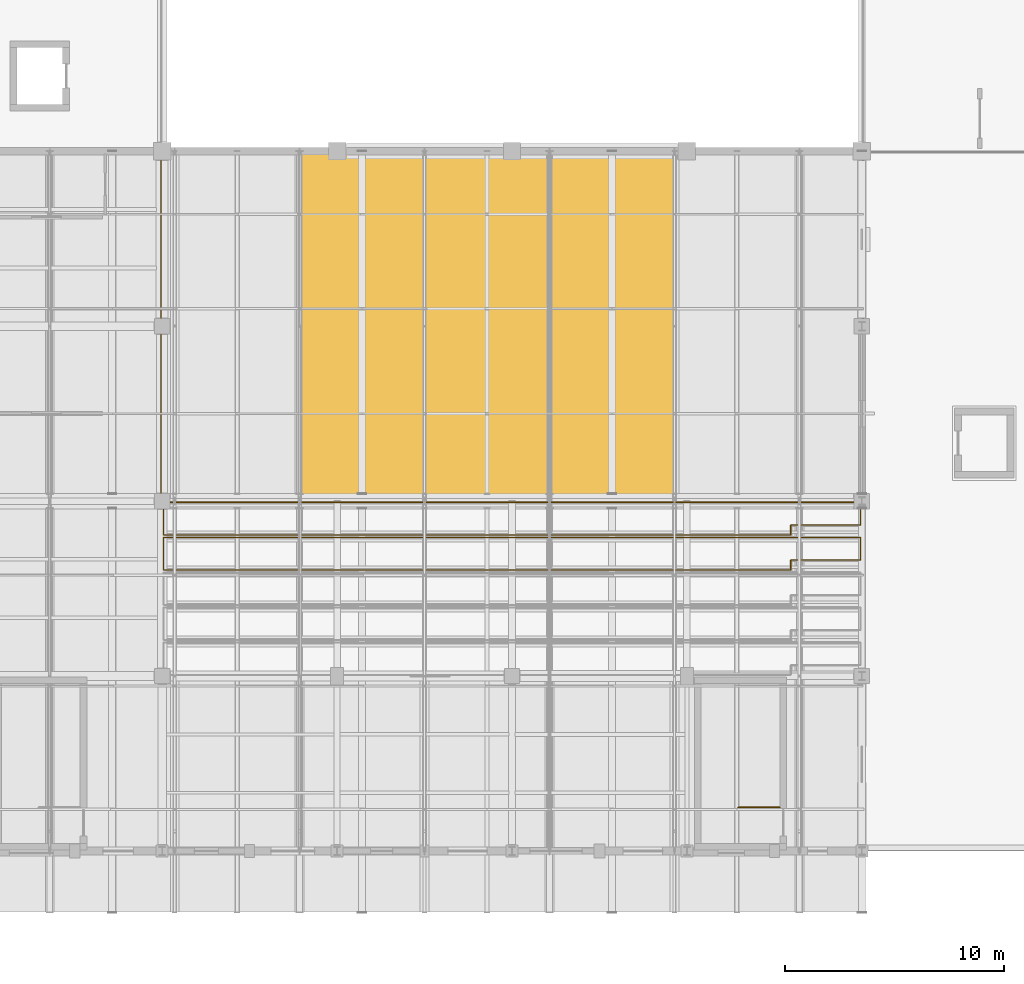
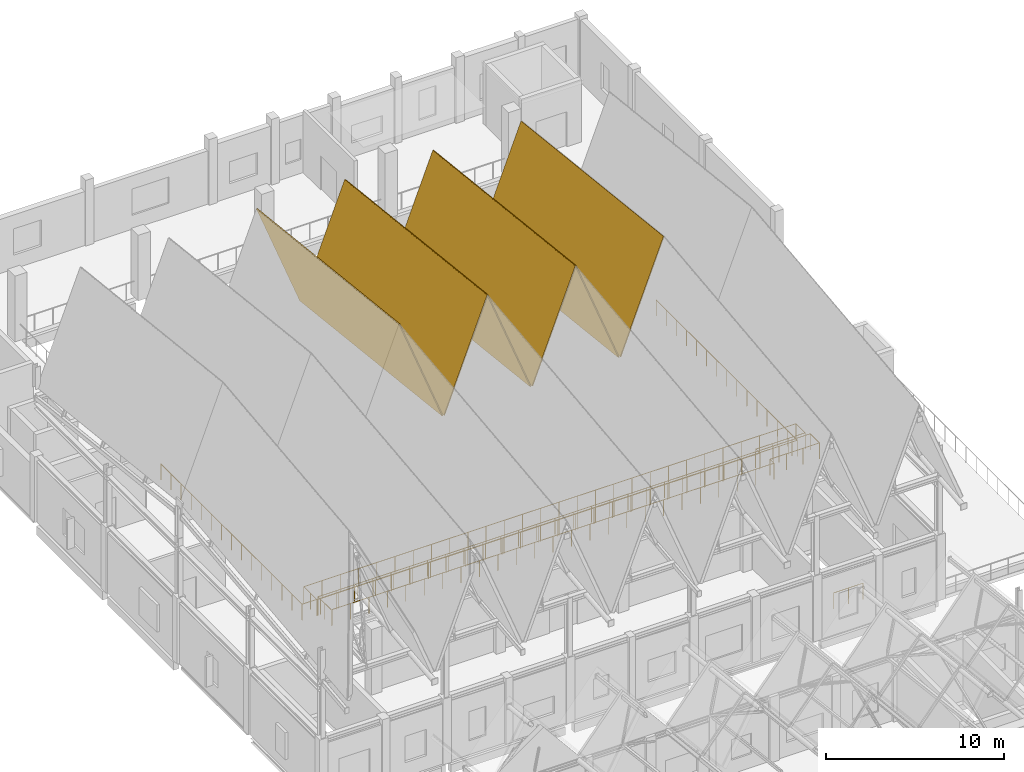
# One storey, part 68 of 77: 6 coverings, 4 railings.
"""IFC4 building model written with IfcOpenShell, lengths in metres."""

import ifcopenshell
import ifcopenshell.guid

model = None  # the IFC model being written
_history = None  # IfcOwnerHistory: only IFC2X3 demands one
_inside = {}  # id of a spatial element -> (the spatial element, [elements in it])
_under = {}  # id of a project, library or spatial element -> (it, [spatial elements below it])
_declared = {}  # id of a project -> (the project, [libraries it declares])
_typed = {}  # id of a type object -> (the type object, [elements of that type])
_made_of = {}  # id of a material, layer set ... -> (it, [elements and type objects made of it])


def new_model(schema):
    """Start an empty IFC model of exactly this schema.

    Asked for "IFC4X3", IfcOpenShell would pick the latest addendum, in which some entities
    have other attributes; the version numbers below select the first issue.
    IFC2X3 requires an IfcOwnerHistory on every rooted entity: one is made here for all.
    """
    global model, _history
    if schema == "IFC4X3":
        model = ifcopenshell.file(schema_version=(4, 3, 0, 0))
    else:
        model = ifcopenshell.file(schema=schema)
    _inside.clear()
    _under.clear()
    _declared.clear()
    _typed.clear()
    _made_of.clear()
    _history = None
    if model.schema == "IFC2X3":
        org = make("IfcOrganization", Name="unknown")
        user = make(
            "IfcPersonAndOrganization",
            ThePerson=make("IfcPerson", FamilyName="unknown"),
            TheOrganization=org,
        )
        app = make(
            "IfcApplication",
            ApplicationDeveloper=org,
            Version="unknown",
            ApplicationFullName="unknown",
            ApplicationIdentifier="unknown",
        )
        _history = make(
            "IfcOwnerHistory",
            OwningUser=user,
            OwningApplication=app,
            ChangeAction="ADDED",
            CreationDate=0,
        )
    return model


def make(cls, **values):
    """One entity of the class cls with the attributes given. An attribute that is None is left unset."""
    return model.create_entity(
        cls, **{name: value for name, value in values.items() if value is not None}
    )


def rooted(cls, **values):
    """An entity with a GlobalId (a new one), such as an element, a storey or a relation."""
    return make(cls, GlobalId=ifcopenshell.guid.new(), OwnerHistory=_history, **values)


def si_unit(unit_type, name, prefix=None):
    """IfcSIUnit, for example si_unit("LENGTHUNIT", "METRE", prefix="MILLI")."""
    return make("IfcSIUnit", UnitType=unit_type, Prefix=prefix, Name=name)


def assignment(units):
    """IfcUnitAssignment: the units of a project."""
    return None if units is None else make("IfcUnitAssignment", Units=units)


def point(xyz):
    """IfcCartesianPoint."""
    return None if xyz is None else make("IfcCartesianPoint", Coordinates=xyz)


def direction(xyz):
    """IfcDirection."""
    return None if xyz is None else make("IfcDirection", DirectionRatios=xyz)


def frame(location, z_axis=None, x_axis=None):
    """IfcAxis2Placement3D, a coordinate frame: its origin and axes. An axis left out is left unset."""
    return make(
        "IfcAxis2Placement3D",
        Location=point(location),
        Axis=direction(z_axis),
        RefDirection=direction(x_axis),
    )


def frame_2d(location, x_axis=None):
    """IfcAxis2Placement2D, a coordinate frame in the plane: its origin and x axis."""
    return make(
        "IfcAxis2Placement2D", Location=point(location), RefDirection=direction(x_axis)
    )


def origin():
    """The frame at (0, 0, 0) with its axes left unset."""
    return frame((0.0, 0.0, 0.0))


def origin_2d():
    """The frame at (0, 0) in the plane with its x axis left unset."""
    return frame_2d((0.0, 0.0))


def place(relative_to, where):
    """IfcLocalPlacement: puts the frame where relative to a parent placement (None: the world)."""
    return make(
        "IfcLocalPlacement", PlacementRelTo=relative_to, RelativePlacement=where
    )


def context(
    kind, dimensions, precision=None, world=None, true_north=None, identifier=None
):
    """IfcGeometricRepresentationContext, for example the 3D "Model" context."""
    return make(
        "IfcGeometricRepresentationContext",
        ContextIdentifier=identifier,
        ContextType=kind,
        CoordinateSpaceDimension=dimensions,
        Precision=precision,
        WorldCoordinateSystem=world,
        TrueNorth=true_north,
    )


def subcontext(parent, identifier, kind, view, scale=None):
    """IfcGeometricRepresentationSubContext, for example "Body" below "Model"."""
    return make(
        "IfcGeometricRepresentationSubContext",
        ContextIdentifier=identifier,
        ContextType=kind,
        ParentContext=parent,
        TargetScale=scale,
        TargetView=view,
    )


def project(units=None, contexts=None):
    """IfcProject with its units and contexts."""
    return rooted(
        "IfcProject",
        Name="project",
        RepresentationContexts=contexts,
        UnitsInContext=assignment(units),
    )


def spatial(cls, under=None, at=None, **own):
    """A site, building, storey or space (cls), placed at a placement, below another one or the project."""
    s = rooted(cls, ObjectPlacement=at, **own)
    if under is not None:
        _under.setdefault(under.id(), (under, []))[1].append(s)
    return s


def polyline(points):
    """IfcPolyline through the points."""
    return make("IfcPolyline", Points=[point(p) for p in points])


def profile(cls, at=None, kind="AREA", **sizes):
    """A parametric profile (cls). Its sizes go by their IFC names, for example OverallWidth=200.0."""
    return make(cls, ProfileType=kind, Position=at, **sizes)


def circle(**sizes):
    """IfcCircleProfileDef."""
    return profile("IfcCircleProfileDef", **sizes)


def outline(outer, holes=None, kind="AREA"):
    """IfcArbitraryClosedProfileDef: a profile drawn as a closed curve; with holes, ...WithVoids."""
    if holes is None:
        return make("IfcArbitraryClosedProfileDef", ProfileType=kind, OuterCurve=outer)
    return make(
        "IfcArbitraryProfileDefWithVoids",
        ProfileType=kind,
        OuterCurve=outer,
        InnerCurves=holes,
    )


def extrude(swept, where, along, depth):
    """IfcExtrudedAreaSolid: the profile swept, set in the frame where, extruded along a direction by depth."""
    return make(
        "IfcExtrudedAreaSolid",
        SweptArea=swept,
        Position=where,
        ExtrudedDirection=direction(along),
        Depth=depth,
    )


def shape(context_of_items, identifier, shape_type, items):
    """IfcShapeRepresentation: the items that make up one representation, for example the "Body"."""
    return make(
        "IfcShapeRepresentation",
        ContextOfItems=context_of_items,
        RepresentationIdentifier=identifier,
        RepresentationType=shape_type,
        Items=items,
    )


def material(Name=None, Category=None):
    """IfcMaterial."""
    return make("IfcMaterial", Name=Name, Category=Category)


def layer(
    of_material, thickness, ventilated=None, Name=None, Category=None, Priority=None
):
    """IfcMaterialLayer: one layer of a wall or slab, of a material (None: an air gap)."""
    return make(
        "IfcMaterialLayer",
        Material=of_material,
        LayerThickness=thickness,
        IsVentilated=ventilated,
        Name=Name,
        Category=Category,
        Priority=Priority,
    )


def layer_set(layers, Name=None):
    """IfcMaterialLayerSet."""
    return make("IfcMaterialLayerSet", MaterialLayers=layers, LayerSetName=Name)


def made_of(thing, what):
    """Note that an element or type object is made of a material, layer set ...; save() writes the relation."""
    if what is not None:
        _made_of.setdefault(what.id(), (what, []))[1].append(thing)
    return thing


def type_object(cls, material=None, **own):
    """A type object (cls), such as IfcWallType, which elements share."""
    return made_of(rooted(cls, **own), material)


def element(
    cls,
    number,
    at=None,
    inside=None,
    cuts=None,
    type_object=None,
    material=None,
    context=None,
    identifier="Body",
    shape_type=None,
    held_by="IfcProductDefinitionShape",
    body=None,
    shapes=None,
    **own,
):
    """One element of the class cls, such as IfcWall. Its Tag is "e" and its number.

    at: its placement. inside: the storey or other place that contains it. cuts: it is an
    opening in that element (IfcRelVoidsElement). A single representation is given by context,
    identifier, shape_type and body (its items); several are given by shapes. held_by: the class
    of the entity that holds the representations. save() writes the other relations.
    """
    e = rooted(cls, Tag="e%d" % number, ObjectPlacement=at, **own)
    if body is not None:
        shapes = [shape(context, identifier, shape_type, body)]
    if shapes is not None:
        e.Representation = make(held_by, Representations=shapes)
    if inside is not None:
        _inside.setdefault(inside.id(), (inside, []))[1].append(e)
    if cuts is not None:
        rooted(
            "IfcRelVoidsElement", RelatingBuildingElement=cuts, RelatedOpeningElement=e
        )
    if type_object is not None:
        _typed.setdefault(type_object.id(), (type_object, []))[1].append(e)
    return made_of(e, material)


def aggregate(whole, parts):
    """IfcRelAggregates: a whole, such as a stair, and the parts it consists of."""
    return rooted("IfcRelAggregates", RelatingObject=whole, RelatedObjects=parts)


def save(model, path):
    """Write the relations noted so far, then the file.

    IfcRelAggregates (storeys below a building ...), IfcRelContainedInSpatialStructure (elements
    in a storey), IfcRelDefinesByType, IfcRelAssociatesMaterial and IfcRelDeclares: one each for
    every whole, place, type object, material and project.
    """
    for whole, parts in _under.values():
        aggregate(whole, parts)
    for where, things in _inside.values():
        rooted(
            "IfcRelContainedInSpatialStructure",
            RelatedElements=things,
            RelatingStructure=where,
        )
    for kind, things in _typed.values():
        rooted("IfcRelDefinesByType", RelatedObjects=things, RelatingType=kind)
    for what, things in _made_of.values():
        rooted("IfcRelAssociatesMaterial", RelatedObjects=things, RelatingMaterial=what)
    for by, libraries in _declared.values():
        rooted("IfcRelDeclares", RelatingContext=by, RelatedDefinitions=libraries)
    model.write(path)


model = new_model("IFC4")

# Units and contexts
model_context = context("Model", 3, precision=1e-05, world=origin(), true_north=direction((0.0, 1.0)))
body_context = subcontext(model_context, "Body", "Model", "MODEL_VIEW")
ifc_project = project(units=[si_unit("LENGTHUNIT", "METRE"), si_unit("AREAUNIT", "SQUARE_METRE"), si_unit("VOLUMEUNIT", "CUBIC_METRE"), si_unit("PLANEANGLEUNIT", "RADIAN"), si_unit("MASSUNIT", "GRAM", prefix="KILO")], contexts=[model_context])

# Site, building, storey
site_placement = place(None, origin())
site = spatial("IfcSite", under=ifc_project, at=site_placement, CompositionType="ELEMENT")
building_placement = place(site_placement, origin())
building = spatial("IfcBuilding", under=site, at=building_placement, Name="Luwemba Playhouse", CompositionType="ELEMENT")
storey_placement = place(building_placement, frame((0.0, 0.0, 9.300048828125)))
storey = spatial("IfcBuildingStorey", under=building, at=storey_placement, Name="L02", CompositionType="ELEMENT", Elevation=9.300048828125)

# Coverings
ifc_material_1 = material(Name="Glazed terracotta clay roof tile", Category="masonry")
ifc_layer = layer(ifc_material_1, 0.06494140625)
ifc_layer_set = layer_set([ifc_layer], Name="Glazed terracotta clay roof tile")
covering_type = type_object("IfcCoveringType", Name="COV-ROOF-TILE", PredefinedType="ROOFING", material=ifc_layer_set)
covering_1_placement = place(storey_placement, frame((18.310791015625, 52.0, 18.061279296875), z_axis=(0.932211217574, 0.040342026533, 0.359659236953), x_axis=(0.359952263619, 0.0, -0.932970721896)))
element("IfcCovering", 1, at=covering_1_placement, inside=storey, type_object=covering_type, Name="RF-V1 glazed clay-tile roofing 6N", PredefinedType="ROOFING", context=body_context, shape_type="SweptSolid", body=[
    extrude(outline(polyline([(0.0, 0.0), (7.798614399668574, 0.0), (9.472996181079711, 16.01303574655162), (1.6743817814111364, 16.013035746551616), (0.0, 0.0)])), origin(), (0.0, 0.0, -1.0), 0.06494140625),
])
covering_2_placement = place(storey_placement, frame((21.16796875, 52.0, 10.78564453125), z_axis=(-0.932203022566, 0.040344379383, 0.359680213204), x_axis=(0.359973291185, 0.0, 0.932962608915)))
element("IfcCovering", 2, at=covering_2_placement, inside=storey, type_object=covering_type, Name="RF-V1 glazed clay-tile roofing 7N", PredefinedType="ROOFING", context=body_context, shape_type="SweptSolid", body=[
    extrude(outline(polyline([(0.0, 0.0), (7.798158849538923, 0.0), (6.123791628314629, 16.01303726901149), (-1.674367221224293, 16.01303726901149), (0.0, 0.0)])), origin(), (0.0, 0.0, -1.0), 0.06494140625),
])
covering_3_placement = place(storey_placement, frame((24.02490234375, 52.0, 18.06103515625), z_axis=(0.932203022566, 0.040344379383, 0.359680213204), x_axis=(0.359973291185, 0.0, -0.932962608915)))
element("IfcCovering", 3, at=covering_3_placement, inside=storey, type_object=covering_type, Name="RF-V1 glazed clay-tile roofing 8N", PredefinedType="ROOFING", context=body_context, shape_type="SweptSolid", body=[
    extrude(outline(polyline([(0.0, 0.0), (7.798158849538923, 0.0), (9.472526070763216, 16.01303726901149), (1.674367221224293, 16.01303726901149), (0.0, 0.0)])), origin(), (0.0, 0.0, -1.0), 0.06494140625),
])
covering_4_placement = place(storey_placement, frame((26.882080078125, 52.0, 10.785400390625), z_axis=(-0.932211217574, 0.040342026533, 0.359659236953), x_axis=(0.359952263619, 0.0, 0.932970721896)))
element("IfcCovering", 4, at=covering_4_placement, inside=storey, type_object=covering_type, Name="RF-V1 glazed clay-tile roofing 9N", PredefinedType="ROOFING", context=body_context, shape_type="SweptSolid", body=[
    extrude(outline(polyline([(0.0, 0.0), (7.798614399668574, 0.0), (6.124232618257437, 16.013035746551616), (-1.6743817814111364, 16.013035746551616), (0.0, 0.0)])), origin(), (0.0, 0.0, -1.0), 0.06494140625),
])
covering_5_placement = place(storey_placement, frame((29.7392578125, 52.0, 18.06103515625), z_axis=(0.932207120249, 0.040343202926, 0.359669724795), x_axis=(0.359962777117, 0.0, -0.932966665583)))
element("IfcCovering", 5, at=covering_5_placement, inside=storey, type_object=covering_type, Name="RF-V1 glazed clay-tile roofing 10N", PredefinedType="ROOFING", context=body_context, shape_type="SweptSolid", body=[
    extrude(outline(polyline([(0.0, 0.0), (7.798386624108571, -1.3877787807814457e-17), (9.47276112574524, 16.013036507749877), (1.6743745016366696, 16.013036507749877), (0.0, 0.0)])), origin(), (0.0, 0.0, -1.0), 0.06494140625),
])
covering_6_placement = place(storey_placement, frame((32.596435546875, 52.0, 10.785400390625), z_axis=(-0.932211217574, 0.040342026533, 0.359659236953), x_axis=(0.359952263619, 0.0, 0.932970721896)))
element("IfcCovering", 6, at=covering_6_placement, inside=storey, type_object=covering_type, Name="RF-V1 glazed clay-tile roofing 11N", PredefinedType="ROOFING", context=body_context, shape_type="SweptSolid", body=[
    extrude(outline(polyline([(0.0, 0.0), (7.798614399668574, 0.0), (6.124232618257437, 16.013035746551616), (-1.6743817814111364, 16.013035746551616), (0.0, 0.0)])), origin(), (0.0, 0.0, -1.0), 0.06494140625),
])

# Railings
ifc_material_2 = material(Name="Painted wrought-iron gallery balustrade", Category="steel")
railing_type = type_object("IfcRailingType", Name="RLG-BAL-INT", PredefinedType="BALUSTRADE", material=ifc_material_2)
railing_1_placement = place(storey_placement, frame((40.25, 37.989990234375, 0.0)))
element("IfcRailing", 7, at=railing_1_placement, inside=storey, type_object=railing_type, Name="L02 ST-02 top well guard 1", PredefinedType="BALUSTRADE", context=body_context, shape_type="SweptSolid", body=[
    extrude(circle(Radius=0.02392578125, at=origin_2d()), frame((0.0, 0.0, 1.09619140625), z_axis=(-1.0, 0.0, 0.0), x_axis=(0.0, -1.0, 0.0)), (0.0, 0.0, 1.0), 1.89990234375),
    extrude(circle(Radius=0.02099609375, at=origin_2d()), origin(), (0.0, 0.0, 1.0), 1.072021484375),
    extrude(circle(Radius=0.02099609375, at=origin_2d()), frame((-0.949951171875, 0.0, 0.0)), (0.0, 0.0, 1.0), 1.072021484375),
    extrude(circle(Radius=0.02099609375, at=origin_2d()), frame((-1.89990234375, 0.0, 0.0)), (0.0, 0.0, 1.0), 1.072021484375),
])
railing_2_placement = place(storey_placement, frame((11.949951171875, 67.800048828125, 0.0)))
element("IfcRailing", 8, at=railing_2_placement, inside=storey, type_object=railing_type, Name="L02 V1 gallery void balustrade 002", PredefinedType="BALUSTRADE", context=body_context, shape_type="SweptSolid", body=[
    extrude(circle(Radius=0.02392578125, at=origin_2d()), frame((0.0, 0.0, 1.09619140625), z_axis=(0.0, -1.0, 0.0), x_axis=(1.0, 0.0, 0.0)), (0.0, 0.0, 1.0), 15.85009765625),
    extrude(circle(Radius=0.02392578125, at=origin_2d()), frame((0.0, -15.85009765625, 1.09619140625), z_axis=(1.0, 0.0, 0.0), x_axis=(0.0, 1.0, 0.0)), (0.0, 0.0, 1.0), 32.10009765625),
    extrude(circle(Radius=0.02392578125, at=origin_2d()), frame((32.10009765625, -15.85009765625, 1.09619140625), z_axis=(0.0, 1.0, 0.0), x_axis=(-1.0, 0.0, 0.0)), (0.0, 0.0, 1.0), 15.85009765625),
    extrude(circle(Radius=0.02099609375, at=origin_2d()), origin(), (0.0, 0.0, 1.0), 1.072021484375),
    extrude(circle(Radius=0.02099609375, at=origin_2d()), frame((0.0, -1.132080078125, 0.0)), (0.0, 0.0, 1.0), 1.072021484375),
    extrude(circle(Radius=0.02099609375, at=origin_2d()), frame((0.0, -2.264404296875, 0.0)), (0.0, 0.0, 1.0), 1.072021484375),
    extrude(circle(Radius=0.02099609375, at=origin_2d()), frame((0.0, -3.396484375, 0.0)), (0.0, 0.0, 1.0), 1.072021484375),
    extrude(circle(Radius=0.02099609375, at=origin_2d()), frame((0.0, -4.528564453125, 0.0)), (0.0, 0.0, 1.0), 1.072021484375),
    extrude(circle(Radius=0.02099609375, at=origin_2d()), frame((0.0, -5.66064453125, 0.0)), (0.0, 0.0, 1.0), 1.072021484375),
    extrude(circle(Radius=0.02099609375, at=origin_2d()), frame((0.0, -6.79296875, 0.0)), (0.0, 0.0, 1.0), 1.072021484375),
    extrude(circle(Radius=0.02099609375, at=origin_2d()), frame((0.0, -7.925048828125, 0.0)), (0.0, 0.0, 1.0), 1.072021484375),
    extrude(circle(Radius=0.02099609375, at=origin_2d()), frame((0.0, -9.05712890625, 0.0)), (0.0, 0.0, 1.0), 1.072021484375),
    extrude(circle(Radius=0.02099609375, at=origin_2d()), frame((0.0, -10.189453125, 0.0)), (0.0, 0.0, 1.0), 1.072021484375),
    extrude(circle(Radius=0.02099609375, at=origin_2d()), frame((0.0, -11.321533203125, 0.0)), (0.0, 0.0, 1.0), 1.072021484375),
    extrude(circle(Radius=0.02099609375, at=origin_2d()), frame((0.0, -12.45361328125, 0.0)), (0.0, 0.0, 1.0), 1.072021484375),
    extrude(circle(Radius=0.02099609375, at=origin_2d()), frame((0.0, -13.585693359375, 0.0)), (0.0, 0.0, 1.0), 1.072021484375),
    extrude(circle(Radius=0.02099609375, at=origin_2d()), frame((0.0, -14.718017578125, 0.0)), (0.0, 0.0, 1.0), 1.072021484375),
    extrude(circle(Radius=0.02099609375, at=origin_2d()), frame((0.0, -15.85009765625, 0.0)), (0.0, 0.0, 1.0), 1.072021484375),
    extrude(circle(Radius=0.02099609375, at=origin_2d()), frame((1.18896484375, -15.85009765625, 0.0)), (0.0, 0.0, 1.0), 1.072021484375),
    extrude(circle(Radius=0.02099609375, at=origin_2d()), frame((2.377685546875, -15.85009765625, 0.0)), (0.0, 0.0, 1.0), 1.072021484375),
    extrude(circle(Radius=0.02099609375, at=origin_2d()), frame((3.566650390625, -15.85009765625, 0.0)), (0.0, 0.0, 1.0), 1.072021484375),
    extrude(circle(Radius=0.02099609375, at=origin_2d()), frame((4.755615234375, -15.85009765625, 0.0)), (0.0, 0.0, 1.0), 1.072021484375),
    extrude(circle(Radius=0.02099609375, at=origin_2d()), frame((5.944580078125, -15.85009765625, 0.0)), (0.0, 0.0, 1.0), 1.072021484375),
    extrude(circle(Radius=0.02099609375, at=origin_2d()), frame((7.13330078125, -15.85009765625, 0.0)), (0.0, 0.0, 1.0), 1.072021484375),
    extrude(circle(Radius=0.02099609375, at=origin_2d()), frame((8.322265625, -15.85009765625, 0.0)), (0.0, 0.0, 1.0), 1.072021484375),
    extrude(circle(Radius=0.02099609375, at=origin_2d()), frame((9.51123046875, -15.85009765625, 0.0)), (0.0, 0.0, 1.0), 1.072021484375),
    extrude(circle(Radius=0.02099609375, at=origin_2d()), frame((10.699951171875, -15.85009765625, 0.0)), (0.0, 0.0, 1.0), 1.072021484375),
    extrude(circle(Radius=0.02099609375, at=origin_2d()), frame((11.888916015625, -15.85009765625, 0.0)), (0.0, 0.0, 1.0), 1.072021484375),
    extrude(circle(Radius=0.02099609375, at=origin_2d()), frame((13.077880859375, -15.85009765625, 0.0)), (0.0, 0.0, 1.0), 1.072021484375),
    extrude(circle(Radius=0.02099609375, at=origin_2d()), frame((14.2666015625, -15.85009765625, 0.0)), (0.0, 0.0, 1.0), 1.072021484375),
    extrude(circle(Radius=0.02099609375, at=origin_2d()), frame((15.45556640625, -15.85009765625, 0.0)), (0.0, 0.0, 1.0), 1.072021484375),
    extrude(circle(Radius=0.02099609375, at=origin_2d()), frame((16.64453125, -15.85009765625, 0.0)), (0.0, 0.0, 1.0), 1.072021484375),
    extrude(circle(Radius=0.02099609375, at=origin_2d()), frame((17.83349609375, -15.85009765625, 0.0)), (0.0, 0.0, 1.0), 1.072021484375),
    extrude(circle(Radius=0.02099609375, at=origin_2d()), frame((19.022216796875, -15.85009765625, 0.0)), (0.0, 0.0, 1.0), 1.072021484375),
    extrude(circle(Radius=0.02099609375, at=origin_2d()), frame((20.211181640625, -15.85009765625, 0.0)), (0.0, 0.0, 1.0), 1.072021484375),
    extrude(circle(Radius=0.02099609375, at=origin_2d()), frame((21.400146484375, -15.85009765625, 0.0)), (0.0, 0.0, 1.0), 1.072021484375),
    extrude(circle(Radius=0.02099609375, at=origin_2d()), frame((22.5888671875, -15.85009765625, 0.0)), (0.0, 0.0, 1.0), 1.072021484375),
    extrude(circle(Radius=0.02099609375, at=origin_2d()), frame((23.77783203125, -15.85009765625, 0.0)), (0.0, 0.0, 1.0), 1.072021484375),
    extrude(circle(Radius=0.02099609375, at=origin_2d()), frame((24.966796875, -15.85009765625, 0.0)), (0.0, 0.0, 1.0), 1.072021484375),
    extrude(circle(Radius=0.02099609375, at=origin_2d()), frame((26.155517578125, -15.85009765625, 0.0)), (0.0, 0.0, 1.0), 1.072021484375),
    extrude(circle(Radius=0.02099609375, at=origin_2d()), frame((27.344482421875, -15.85009765625, 0.0)), (0.0, 0.0, 1.0), 1.072021484375),
    extrude(circle(Radius=0.02099609375, at=origin_2d()), frame((28.533447265625, -15.85009765625, 0.0)), (0.0, 0.0, 1.0), 1.072021484375),
    extrude(circle(Radius=0.02099609375, at=origin_2d()), frame((29.722412109375, -15.85009765625, 0.0)), (0.0, 0.0, 1.0), 1.072021484375),
    extrude(circle(Radius=0.02099609375, at=origin_2d()), frame((30.9111328125, -15.85009765625, 0.0)), (0.0, 0.0, 1.0), 1.072021484375),
    extrude(circle(Radius=0.02099609375, at=origin_2d()), frame((32.10009765625, -15.85009765625, 0.0)), (0.0, 0.0, 1.0), 1.072021484375),
    extrude(circle(Radius=0.02099609375, at=origin_2d()), frame((32.10009765625, -14.718017578125, 0.0)), (0.0, 0.0, 1.0), 1.072021484375),
    extrude(circle(Radius=0.02099609375, at=origin_2d()), frame((32.10009765625, -13.585693359375, 0.0)), (0.0, 0.0, 1.0), 1.072021484375),
    extrude(circle(Radius=0.02099609375, at=origin_2d()), frame((32.10009765625, -12.45361328125, 0.0)), (0.0, 0.0, 1.0), 1.072021484375),
    extrude(circle(Radius=0.02099609375, at=origin_2d()), frame((32.10009765625, -11.321533203125, 0.0)), (0.0, 0.0, 1.0), 1.072021484375),
    extrude(circle(Radius=0.02099609375, at=origin_2d()), frame((32.10009765625, -10.189453125, 0.0)), (0.0, 0.0, 1.0), 1.072021484375),
    extrude(circle(Radius=0.02099609375, at=origin_2d()), frame((32.10009765625, -9.05712890625, 0.0)), (0.0, 0.0, 1.0), 1.072021484375),
    extrude(circle(Radius=0.02099609375, at=origin_2d()), frame((32.10009765625, -7.925048828125, 0.0)), (0.0, 0.0, 1.0), 1.072021484375),
    extrude(circle(Radius=0.02099609375, at=origin_2d()), frame((32.10009765625, -6.79296875, 0.0)), (0.0, 0.0, 1.0), 1.072021484375),
    extrude(circle(Radius=0.02099609375, at=origin_2d()), frame((32.10009765625, -5.66064453125, 0.0)), (0.0, 0.0, 1.0), 1.072021484375),
    extrude(circle(Radius=0.02099609375, at=origin_2d()), frame((32.10009765625, -4.528564453125, 0.0)), (0.0, 0.0, 1.0), 1.072021484375),
    extrude(circle(Radius=0.02099609375, at=origin_2d()), frame((32.10009765625, -3.396484375, 0.0)), (0.0, 0.0, 1.0), 1.072021484375),
    extrude(circle(Radius=0.02099609375, at=origin_2d()), frame((32.10009765625, -2.264404296875, 0.0)), (0.0, 0.0, 1.0), 1.072021484375),
    extrude(circle(Radius=0.02099609375, at=origin_2d()), frame((32.10009765625, -1.132080078125, 0.0)), (0.0, 0.0, 1.0), 1.072021484375),
    extrude(circle(Radius=0.02099609375, at=origin_2d()), frame((32.10009765625, 0.0, 0.0)), (0.0, 0.0, 1.0), 1.072021484375),
])
railing_3_placement = place(storey_placement, frame((12.050048828125, 48.85009765625, 1.4599609375)))
element("IfcRailing", 9, at=railing_3_placement, inside=storey, type_object=railing_type, Name="Stand Upper Circle Bay 4 perimeter balustrade", PredefinedType="BALUSTRADE", context=body_context, shape_type="SweptSolid", body=[
    extrude(circle(Radius=0.02392578125, at=origin_2d()), frame((0.0, 0.0, 1.09619140625), z_axis=(0.0, 1.0, 0.0), x_axis=(-1.0, 0.0, 0.0)), (0.0, 0.0, 1.0), 1.47998046875),
    extrude(circle(Radius=0.02392578125, at=origin_2d()), frame((0.0, 1.47998046875, 1.09619140625), z_axis=(1.0, 0.0, 0.0), x_axis=(0.0, 1.0, 0.0)), (0.0, 0.0, 1.0), 31.89990234375),
    extrude(circle(Radius=0.02392578125, at=origin_2d()), frame((31.89990234375, 1.47998046875, 1.09619140625), z_axis=(0.0, -1.0, 0.0), x_axis=(1.0, 0.0, 0.0)), (0.0, 0.0, 1.0), 1.030029296875),
    extrude(circle(Radius=0.02392578125, at=origin_2d()), frame((31.89990234375, 0.449951171875, 1.09619140625), z_axis=(-1.0, 0.0, 0.0), x_axis=(0.0, -1.0, 0.0)), (0.0, 0.0, 1.0), 3.199951171875),
    extrude(circle(Radius=0.02392578125, at=origin_2d()), frame((28.699951171875, 0.449951171875, 1.09619140625), z_axis=(0.0, -1.0, 0.0), x_axis=(1.0, 0.0, 0.0)), (0.0, 0.0, 1.0), 0.449951171875),
    extrude(circle(Radius=0.02392578125, at=origin_2d()), frame((28.699951171875, 0.0, 1.09619140625), z_axis=(-1.0, 0.0, 0.0), x_axis=(0.0, -1.0, 0.0)), (0.0, 0.0, 1.0), 28.639892578125),
    extrude(circle(Radius=0.02099609375, at=origin_2d()), origin(), (0.0, 0.0, 1.0), 1.072021484375),
    extrude(circle(Radius=0.02099609375, at=origin_2d()), frame((0.0, 0.739990234375, 0.0)), (0.0, 0.0, 1.0), 1.072021484375),
    extrude(circle(Radius=0.02099609375, at=origin_2d()), frame((0.0, 1.47998046875, 0.0)), (0.0, 0.0, 1.0), 1.072021484375),
    extrude(circle(Radius=0.02099609375, at=origin_2d()), frame((1.181396484375, 1.47998046875, 0.0)), (0.0, 0.0, 1.0), 1.072021484375),
    extrude(circle(Radius=0.02099609375, at=origin_2d()), frame((2.363037109375, 1.47998046875, 0.0)), (0.0, 0.0, 1.0), 1.072021484375),
    extrude(circle(Radius=0.02099609375, at=origin_2d()), frame((3.54443359375, 1.47998046875, 0.0)), (0.0, 0.0, 1.0), 1.072021484375),
    extrude(circle(Radius=0.02099609375, at=origin_2d()), frame((4.725830078125, 1.47998046875, 0.0)), (0.0, 0.0, 1.0), 1.072021484375),
    extrude(circle(Radius=0.02099609375, at=origin_2d()), frame((5.907470703125, 1.47998046875, 0.0)), (0.0, 0.0, 1.0), 1.072021484375),
    extrude(circle(Radius=0.02099609375, at=origin_2d()), frame((7.0888671875, 1.47998046875, 0.0)), (0.0, 0.0, 1.0), 1.072021484375),
    extrude(circle(Radius=0.02099609375, at=origin_2d()), frame((8.270263671875, 1.47998046875, 0.0)), (0.0, 0.0, 1.0), 1.072021484375),
    extrude(circle(Radius=0.02099609375, at=origin_2d()), frame((9.451904296875, 1.47998046875, 0.0)), (0.0, 0.0, 1.0), 1.072021484375),
    extrude(circle(Radius=0.02099609375, at=origin_2d()), frame((10.63330078125, 1.47998046875, 0.0)), (0.0, 0.0, 1.0), 1.072021484375),
    extrude(circle(Radius=0.02099609375, at=origin_2d()), frame((11.814697265625, 1.47998046875, 0.0)), (0.0, 0.0, 1.0), 1.072021484375),
    extrude(circle(Radius=0.02099609375, at=origin_2d()), frame((12.996337890625, 1.47998046875, 0.0)), (0.0, 0.0, 1.0), 1.072021484375),
    extrude(circle(Radius=0.02099609375, at=origin_2d()), frame((14.177734375, 1.47998046875, 0.0)), (0.0, 0.0, 1.0), 1.072021484375),
    extrude(circle(Radius=0.02099609375, at=origin_2d()), frame((15.359130859375, 1.47998046875, 0.0)), (0.0, 0.0, 1.0), 1.072021484375),
    extrude(circle(Radius=0.02099609375, at=origin_2d()), frame((16.540771484375, 1.47998046875, 0.0)), (0.0, 0.0, 1.0), 1.072021484375),
    extrude(circle(Radius=0.02099609375, at=origin_2d()), frame((17.72216796875, 1.47998046875, 0.0)), (0.0, 0.0, 1.0), 1.072021484375),
    extrude(circle(Radius=0.02099609375, at=origin_2d()), frame((18.903564453125, 1.47998046875, 0.0)), (0.0, 0.0, 1.0), 1.072021484375),
    extrude(circle(Radius=0.02099609375, at=origin_2d()), frame((20.085205078125, 1.47998046875, 0.0)), (0.0, 0.0, 1.0), 1.072021484375),
    extrude(circle(Radius=0.02099609375, at=origin_2d()), frame((21.2666015625, 1.47998046875, 0.0)), (0.0, 0.0, 1.0), 1.072021484375),
    extrude(circle(Radius=0.02099609375, at=origin_2d()), frame((22.447998046875, 1.47998046875, 0.0)), (0.0, 0.0, 1.0), 1.072021484375),
    extrude(circle(Radius=0.02099609375, at=origin_2d()), frame((23.629638671875, 1.47998046875, 0.0)), (0.0, 0.0, 1.0), 1.072021484375),
    extrude(circle(Radius=0.02099609375, at=origin_2d()), frame((24.81103515625, 1.47998046875, 0.0)), (0.0, 0.0, 1.0), 1.072021484375),
    extrude(circle(Radius=0.02099609375, at=origin_2d()), frame((25.992431640625, 1.47998046875, 0.0)), (0.0, 0.0, 1.0), 1.072021484375),
    extrude(circle(Radius=0.02099609375, at=origin_2d()), frame((27.174072265625, 1.47998046875, 0.0)), (0.0, 0.0, 1.0), 1.072021484375),
    extrude(circle(Radius=0.02099609375, at=origin_2d()), frame((28.35546875, 1.47998046875, 0.0)), (0.0, 0.0, 1.0), 1.072021484375),
    extrude(circle(Radius=0.02099609375, at=origin_2d()), frame((29.536865234375, 1.47998046875, 0.0)), (0.0, 0.0, 1.0), 1.072021484375),
    extrude(circle(Radius=0.02099609375, at=origin_2d()), frame((30.718505859375, 1.47998046875, 0.0)), (0.0, 0.0, 1.0), 1.072021484375),
    extrude(circle(Radius=0.02099609375, at=origin_2d()), frame((31.89990234375, 1.47998046875, 0.0)), (0.0, 0.0, 1.0), 1.072021484375),
    extrude(circle(Radius=0.02099609375, at=origin_2d()), frame((31.89990234375, 0.449951171875, 0.0)), (0.0, 0.0, 1.0), 1.072021484375),
    extrude(circle(Radius=0.02099609375, at=origin_2d()), frame((30.833251953125, 0.449951171875, 0.0)), (0.0, 0.0, 1.0), 1.072021484375),
    extrude(circle(Radius=0.02099609375, at=origin_2d()), frame((29.7666015625, 0.449951171875, 0.0)), (0.0, 0.0, 1.0), 1.072021484375),
    extrude(circle(Radius=0.02099609375, at=origin_2d()), frame((28.699951171875, 0.449951171875, 0.0)), (0.0, 0.0, 1.0), 1.072021484375),
    extrude(circle(Radius=0.02099609375, at=origin_2d()), frame((28.699951171875, 0.0, 0.0)), (0.0, 0.0, 1.0), 1.072021484375),
    extrude(circle(Radius=0.02099609375, at=origin_2d()), frame((27.506591796875, 0.0, 0.0)), (0.0, 0.0, 1.0), 1.072021484375),
    extrude(circle(Radius=0.02099609375, at=origin_2d()), frame((26.313232421875, 0.0, 0.0)), (0.0, 0.0, 1.0), 1.072021484375),
    extrude(circle(Radius=0.02099609375, at=origin_2d()), frame((25.119873046875, 0.0, 0.0)), (0.0, 0.0, 1.0), 1.072021484375),
    extrude(circle(Radius=0.02099609375, at=origin_2d()), frame((23.9267578125, 0.0, 0.0)), (0.0, 0.0, 1.0), 1.072021484375),
    extrude(circle(Radius=0.02099609375, at=origin_2d()), frame((22.7333984375, 0.0, 0.0)), (0.0, 0.0, 1.0), 1.072021484375),
    extrude(circle(Radius=0.02099609375, at=origin_2d()), frame((21.5400390625, 0.0, 0.0)), (0.0, 0.0, 1.0), 1.072021484375),
    extrude(circle(Radius=0.02099609375, at=origin_2d()), frame((20.3466796875, 0.0, 0.0)), (0.0, 0.0, 1.0), 1.072021484375),
    extrude(circle(Radius=0.02099609375, at=origin_2d()), frame((19.1533203125, 0.0, 0.0)), (0.0, 0.0, 1.0), 1.072021484375),
    extrude(circle(Radius=0.02099609375, at=origin_2d()), frame((17.9599609375, 0.0, 0.0)), (0.0, 0.0, 1.0), 1.072021484375),
    extrude(circle(Radius=0.02099609375, at=origin_2d()), frame((16.7666015625, 0.0, 0.0)), (0.0, 0.0, 1.0), 1.072021484375),
    extrude(circle(Radius=0.02099609375, at=origin_2d()), frame((15.5732421875, 0.0, 0.0)), (0.0, 0.0, 1.0), 1.072021484375),
    extrude(circle(Radius=0.02099609375, at=origin_2d()), frame((14.3798828125, 0.0, 0.0)), (0.0, 0.0, 1.0), 1.072021484375),
    extrude(circle(Radius=0.02099609375, at=origin_2d()), frame((13.186767578125, 0.0, 0.0)), (0.0, 0.0, 1.0), 1.072021484375),
    extrude(circle(Radius=0.02099609375, at=origin_2d()), frame((11.993408203125, 0.0, 0.0)), (0.0, 0.0, 1.0), 1.072021484375),
    extrude(circle(Radius=0.02099609375, at=origin_2d()), frame((10.800048828125, 0.0, 0.0)), (0.0, 0.0, 1.0), 1.072021484375),
    extrude(circle(Radius=0.02099609375, at=origin_2d()), frame((9.606689453125, 0.0, 0.0)), (0.0, 0.0, 1.0), 1.072021484375),
    extrude(circle(Radius=0.02099609375, at=origin_2d()), frame((8.413330078125, 0.0, 0.0)), (0.0, 0.0, 1.0), 1.072021484375),
    extrude(circle(Radius=0.02099609375, at=origin_2d()), frame((7.219970703125, 0.0, 0.0)), (0.0, 0.0, 1.0), 1.072021484375),
    extrude(circle(Radius=0.02099609375, at=origin_2d()), frame((6.026611328125, 0.0, 0.0)), (0.0, 0.0, 1.0), 1.072021484375),
    extrude(circle(Radius=0.02099609375, at=origin_2d()), frame((4.83349609375, 0.0, 0.0)), (0.0, 0.0, 1.0), 1.072021484375),
    extrude(circle(Radius=0.02099609375, at=origin_2d()), frame((3.64013671875, 0.0, 0.0)), (0.0, 0.0, 1.0), 1.072021484375),
    extrude(circle(Radius=0.02099609375, at=origin_2d()), frame((2.44677734375, 0.0, 0.0)), (0.0, 0.0, 1.0), 1.072021484375),
    extrude(circle(Radius=0.02099609375, at=origin_2d()), frame((1.25341796875, 0.0, 0.0)), (0.0, 0.0, 1.0), 1.072021484375),
    extrude(circle(Radius=0.02099609375, at=origin_2d()), frame((0.06005859375, 0.0, 0.0)), (0.0, 0.0, 1.0), 1.072021484375),
])
railing_4_placement = place(storey_placement, frame((12.050048828125, 50.449951171875, 1.179931640625)))
element("IfcRailing", 10, at=railing_4_placement, inside=storey, type_object=railing_type, Name="Stand Upper Circle Bay 5 perimeter balustrade", PredefinedType="BALUSTRADE", context=body_context, shape_type="SweptSolid", body=[
    extrude(circle(Radius=0.02392578125, at=origin_2d()), frame((0.0, 0.0, 1.09619140625), z_axis=(0.0, 1.0, 0.0), x_axis=(-1.0, 0.0, 0.0)), (0.0, 0.0, 1.0), 1.47998046875),
    extrude(circle(Radius=0.02392578125, at=origin_2d()), frame((0.0, 1.47998046875, 1.09619140625), z_axis=(1.0, 0.0, 0.0), x_axis=(0.0, 1.0, 0.0)), (0.0, 0.0, 1.0), 31.89990234375),
    extrude(circle(Radius=0.02392578125, at=origin_2d()), frame((31.89990234375, 1.47998046875, 1.09619140625), z_axis=(0.0, -1.0, 0.0), x_axis=(1.0, 0.0, 0.0)), (0.0, 0.0, 1.0), 1.030029296875),
    extrude(circle(Radius=0.02392578125, at=origin_2d()), frame((31.89990234375, 0.449951171875, 1.09619140625), z_axis=(-1.0, 0.0, 0.0), x_axis=(0.0, -1.0, 0.0)), (0.0, 0.0, 1.0), 3.199951171875),
    extrude(circle(Radius=0.02392578125, at=origin_2d()), frame((28.699951171875, 0.449951171875, 1.09619140625), z_axis=(0.0, -1.0, 0.0), x_axis=(1.0, 0.0, 0.0)), (0.0, 0.0, 1.0), 0.449951171875),
    extrude(circle(Radius=0.02392578125, at=origin_2d()), frame((28.699951171875, 0.0, 1.09619140625), z_axis=(-1.0, 0.0, 0.0), x_axis=(0.0, -1.0, 0.0)), (0.0, 0.0, 1.0), 28.639892578125),
    extrude(circle(Radius=0.02099609375, at=origin_2d()), origin(), (0.0, 0.0, 1.0), 1.072021484375),
    extrude(circle(Radius=0.02099609375, at=origin_2d()), frame((0.0, 0.739990234375, 0.0)), (0.0, 0.0, 1.0), 1.072021484375),
    extrude(circle(Radius=0.02099609375, at=origin_2d()), frame((0.0, 1.47998046875, 0.0)), (0.0, 0.0, 1.0), 1.072021484375),
    extrude(circle(Radius=0.02099609375, at=origin_2d()), frame((1.181396484375, 1.47998046875, 0.0)), (0.0, 0.0, 1.0), 1.072021484375),
    extrude(circle(Radius=0.02099609375, at=origin_2d()), frame((2.363037109375, 1.47998046875, 0.0)), (0.0, 0.0, 1.0), 1.072021484375),
    extrude(circle(Radius=0.02099609375, at=origin_2d()), frame((3.54443359375, 1.47998046875, 0.0)), (0.0, 0.0, 1.0), 1.072021484375),
    extrude(circle(Radius=0.02099609375, at=origin_2d()), frame((4.725830078125, 1.47998046875, 0.0)), (0.0, 0.0, 1.0), 1.072021484375),
    extrude(circle(Radius=0.02099609375, at=origin_2d()), frame((5.907470703125, 1.47998046875, 0.0)), (0.0, 0.0, 1.0), 1.072021484375),
    extrude(circle(Radius=0.02099609375, at=origin_2d()), frame((7.0888671875, 1.47998046875, 0.0)), (0.0, 0.0, 1.0), 1.072021484375),
    extrude(circle(Radius=0.02099609375, at=origin_2d()), frame((8.270263671875, 1.47998046875, 0.0)), (0.0, 0.0, 1.0), 1.072021484375),
    extrude(circle(Radius=0.02099609375, at=origin_2d()), frame((9.451904296875, 1.47998046875, 0.0)), (0.0, 0.0, 1.0), 1.072021484375),
    extrude(circle(Radius=0.02099609375, at=origin_2d()), frame((10.63330078125, 1.47998046875, 0.0)), (0.0, 0.0, 1.0), 1.072021484375),
    extrude(circle(Radius=0.02099609375, at=origin_2d()), frame((11.814697265625, 1.47998046875, 0.0)), (0.0, 0.0, 1.0), 1.072021484375),
    extrude(circle(Radius=0.02099609375, at=origin_2d()), frame((12.996337890625, 1.47998046875, 0.0)), (0.0, 0.0, 1.0), 1.072021484375),
    extrude(circle(Radius=0.02099609375, at=origin_2d()), frame((14.177734375, 1.47998046875, 0.0)), (0.0, 0.0, 1.0), 1.072021484375),
    extrude(circle(Radius=0.02099609375, at=origin_2d()), frame((15.359130859375, 1.47998046875, 0.0)), (0.0, 0.0, 1.0), 1.072021484375),
    extrude(circle(Radius=0.02099609375, at=origin_2d()), frame((16.540771484375, 1.47998046875, 0.0)), (0.0, 0.0, 1.0), 1.072021484375),
    extrude(circle(Radius=0.02099609375, at=origin_2d()), frame((17.72216796875, 1.47998046875, 0.0)), (0.0, 0.0, 1.0), 1.072021484375),
    extrude(circle(Radius=0.02099609375, at=origin_2d()), frame((18.903564453125, 1.47998046875, 0.0)), (0.0, 0.0, 1.0), 1.072021484375),
    extrude(circle(Radius=0.02099609375, at=origin_2d()), frame((20.085205078125, 1.47998046875, 0.0)), (0.0, 0.0, 1.0), 1.072021484375),
    extrude(circle(Radius=0.02099609375, at=origin_2d()), frame((21.2666015625, 1.47998046875, 0.0)), (0.0, 0.0, 1.0), 1.072021484375),
    extrude(circle(Radius=0.02099609375, at=origin_2d()), frame((22.447998046875, 1.47998046875, 0.0)), (0.0, 0.0, 1.0), 1.072021484375),
    extrude(circle(Radius=0.02099609375, at=origin_2d()), frame((23.629638671875, 1.47998046875, 0.0)), (0.0, 0.0, 1.0), 1.072021484375),
    extrude(circle(Radius=0.02099609375, at=origin_2d()), frame((24.81103515625, 1.47998046875, 0.0)), (0.0, 0.0, 1.0), 1.072021484375),
    extrude(circle(Radius=0.02099609375, at=origin_2d()), frame((25.992431640625, 1.47998046875, 0.0)), (0.0, 0.0, 1.0), 1.072021484375),
    extrude(circle(Radius=0.02099609375, at=origin_2d()), frame((27.174072265625, 1.47998046875, 0.0)), (0.0, 0.0, 1.0), 1.072021484375),
    extrude(circle(Radius=0.02099609375, at=origin_2d()), frame((28.35546875, 1.47998046875, 0.0)), (0.0, 0.0, 1.0), 1.072021484375),
    extrude(circle(Radius=0.02099609375, at=origin_2d()), frame((29.536865234375, 1.47998046875, 0.0)), (0.0, 0.0, 1.0), 1.072021484375),
    extrude(circle(Radius=0.02099609375, at=origin_2d()), frame((30.718505859375, 1.47998046875, 0.0)), (0.0, 0.0, 1.0), 1.072021484375),
    extrude(circle(Radius=0.02099609375, at=origin_2d()), frame((31.89990234375, 1.47998046875, 0.0)), (0.0, 0.0, 1.0), 1.072021484375),
    extrude(circle(Radius=0.02099609375, at=origin_2d()), frame((31.89990234375, 0.449951171875, 0.0)), (0.0, 0.0, 1.0), 1.072021484375),
    extrude(circle(Radius=0.02099609375, at=origin_2d()), frame((30.833251953125, 0.449951171875, 0.0)), (0.0, 0.0, 1.0), 1.072021484375),
    extrude(circle(Radius=0.02099609375, at=origin_2d()), frame((29.7666015625, 0.449951171875, 0.0)), (0.0, 0.0, 1.0), 1.072021484375),
    extrude(circle(Radius=0.02099609375, at=origin_2d()), frame((28.699951171875, 0.449951171875, 0.0)), (0.0, 0.0, 1.0), 1.072021484375),
    extrude(circle(Radius=0.02099609375, at=origin_2d()), frame((28.699951171875, 0.0, 0.0)), (0.0, 0.0, 1.0), 1.072021484375),
    extrude(circle(Radius=0.02099609375, at=origin_2d()), frame((27.506591796875, 0.0, 0.0)), (0.0, 0.0, 1.0), 1.072021484375),
    extrude(circle(Radius=0.02099609375, at=origin_2d()), frame((26.313232421875, 0.0, 0.0)), (0.0, 0.0, 1.0), 1.072021484375),
    extrude(circle(Radius=0.02099609375, at=origin_2d()), frame((25.119873046875, 0.0, 0.0)), (0.0, 0.0, 1.0), 1.072021484375),
    extrude(circle(Radius=0.02099609375, at=origin_2d()), frame((23.9267578125, 0.0, 0.0)), (0.0, 0.0, 1.0), 1.072021484375),
    extrude(circle(Radius=0.02099609375, at=origin_2d()), frame((22.7333984375, 0.0, 0.0)), (0.0, 0.0, 1.0), 1.072021484375),
    extrude(circle(Radius=0.02099609375, at=origin_2d()), frame((21.5400390625, 0.0, 0.0)), (0.0, 0.0, 1.0), 1.072021484375),
    extrude(circle(Radius=0.02099609375, at=origin_2d()), frame((20.3466796875, 0.0, 0.0)), (0.0, 0.0, 1.0), 1.072021484375),
    extrude(circle(Radius=0.02099609375, at=origin_2d()), frame((19.1533203125, 0.0, 0.0)), (0.0, 0.0, 1.0), 1.072021484375),
    extrude(circle(Radius=0.02099609375, at=origin_2d()), frame((17.9599609375, 0.0, 0.0)), (0.0, 0.0, 1.0), 1.072021484375),
    extrude(circle(Radius=0.02099609375, at=origin_2d()), frame((16.7666015625, 0.0, 0.0)), (0.0, 0.0, 1.0), 1.072021484375),
    extrude(circle(Radius=0.02099609375, at=origin_2d()), frame((15.5732421875, 0.0, 0.0)), (0.0, 0.0, 1.0), 1.072021484375),
    extrude(circle(Radius=0.02099609375, at=origin_2d()), frame((14.3798828125, 0.0, 0.0)), (0.0, 0.0, 1.0), 1.072021484375),
    extrude(circle(Radius=0.02099609375, at=origin_2d()), frame((13.186767578125, 0.0, 0.0)), (0.0, 0.0, 1.0), 1.072021484375),
    extrude(circle(Radius=0.02099609375, at=origin_2d()), frame((11.993408203125, 0.0, 0.0)), (0.0, 0.0, 1.0), 1.072021484375),
    extrude(circle(Radius=0.02099609375, at=origin_2d()), frame((10.800048828125, 0.0, 0.0)), (0.0, 0.0, 1.0), 1.072021484375),
    extrude(circle(Radius=0.02099609375, at=origin_2d()), frame((9.606689453125, 0.0, 0.0)), (0.0, 0.0, 1.0), 1.072021484375),
    extrude(circle(Radius=0.02099609375, at=origin_2d()), frame((8.413330078125, 0.0, 0.0)), (0.0, 0.0, 1.0), 1.072021484375),
    extrude(circle(Radius=0.02099609375, at=origin_2d()), frame((7.219970703125, 0.0, 0.0)), (0.0, 0.0, 1.0), 1.072021484375),
    extrude(circle(Radius=0.02099609375, at=origin_2d()), frame((6.026611328125, 0.0, 0.0)), (0.0, 0.0, 1.0), 1.072021484375),
    extrude(circle(Radius=0.02099609375, at=origin_2d()), frame((4.83349609375, 0.0, 0.0)), (0.0, 0.0, 1.0), 1.072021484375),
    extrude(circle(Radius=0.02099609375, at=origin_2d()), frame((3.64013671875, 0.0, 0.0)), (0.0, 0.0, 1.0), 1.072021484375),
    extrude(circle(Radius=0.02099609375, at=origin_2d()), frame((2.44677734375, 0.0, 0.0)), (0.0, 0.0, 1.0), 1.072021484375),
    extrude(circle(Radius=0.02099609375, at=origin_2d()), frame((1.25341796875, 0.0, 0.0)), (0.0, 0.0, 1.0), 1.072021484375),
    extrude(circle(Radius=0.02099609375, at=origin_2d()), frame((0.06005859375, 0.0, 0.0)), (0.0, 0.0, 1.0), 1.072021484375),
])

save(model, "model.ifc")
